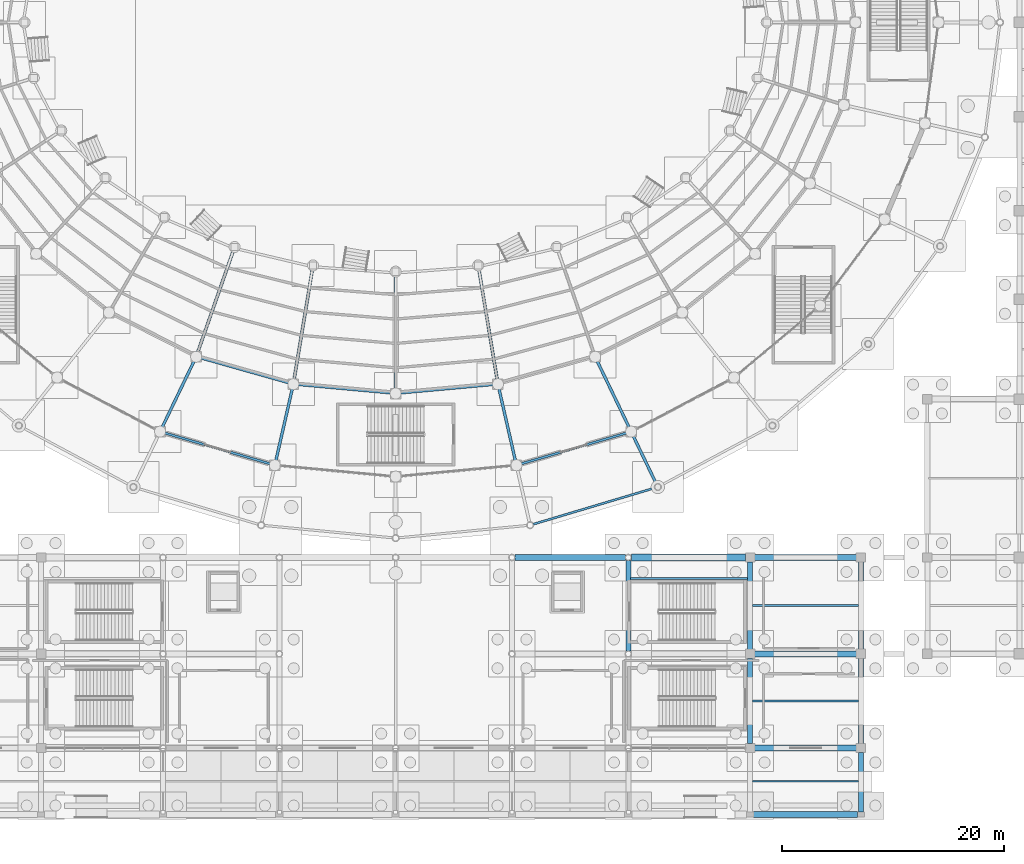
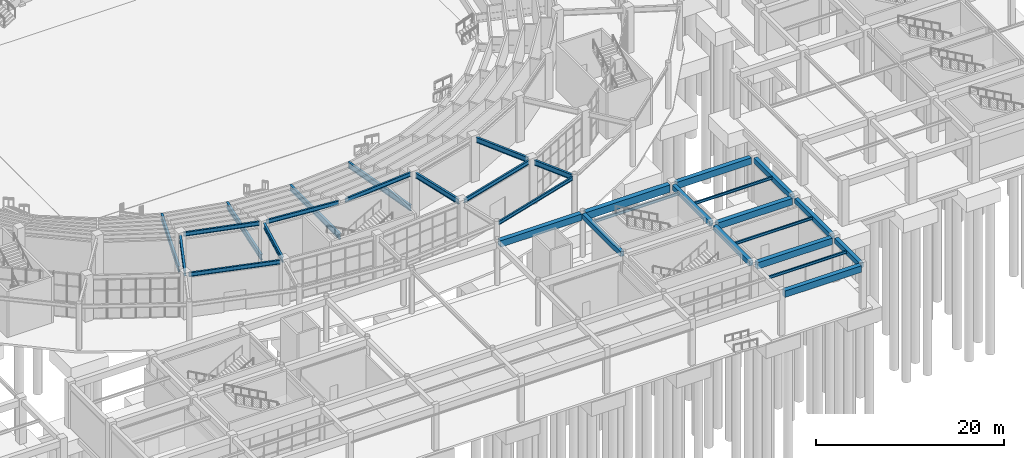
# One storey, part 34 of 121: 31 beams.
"""IFC4 building model written with IfcOpenShell, lengths in metres."""

from ifc_helpers import new_model, si_unit, direction, frame, origin, origin_2d, place, context, subcontext, project, spatial, rectangle, i_section, extrude, material, material_profile, profile_set, type_object, element, save


model = new_model("IFC4")

# Units and contexts
model_context = context("Model", 3, precision=1e-05, world=origin(), true_north=direction((0.0, 1.0)))
body_context = subcontext(model_context, "Body", "Model", "MODEL_VIEW")
ifc_project = project(units=[si_unit("LENGTHUNIT", "METRE"), si_unit("AREAUNIT", "SQUARE_METRE"), si_unit("VOLUMEUNIT", "CUBIC_METRE"), si_unit("PLANEANGLEUNIT", "RADIAN"), si_unit("MASSUNIT", "GRAM", prefix="KILO")], contexts=[model_context])

# Site, building, storey
site_placement = place(None, origin())
site = spatial("IfcSite", under=ifc_project, at=site_placement, CompositionType="ELEMENT")
building_placement = place(site_placement, origin())
building = spatial("IfcBuilding", under=site, at=building_placement, Name="Cuetzalor Civic Arena", CompositionType="ELEMENT")
storey_placement = place(building_placement, origin())
storey = spatial("IfcBuildingStorey", under=building, at=storey_placement, Name="L00", CompositionType="ELEMENT", Elevation=0.0)

# Beams
ifc_material_1 = material(Name="Concrete C40/50", Category="concrete")
ifc_material_profile_1 = material_profile(ifc_material_1, rectangle(XDim=0.550048828125, YDim=0.85009765625, at=origin_2d()), Name="RC 550x850")
ifc_profile_set_1 = profile_set([ifc_material_profile_1], Name="Concrete C40/50")
beam_type_1 = type_object("IfcBeamType", Name="ConcreteFrameBeam_550x850", PredefinedType="BEAM", material=ifc_profile_set_1)
beam_1_placement = place(storey_placement, frame((32.31494140625, -71.5, 5.27490234375), z_axis=(1.0, 0.0, 0.0), x_axis=(0.0, 1.0, 0.0)))
element("IfcBeam", 1, at=beam_1_placement, inside=storey, type_object=beam_type_1, Name="Frame Girder V3-L00-X0008", PredefinedType="BEAM", context=body_context, shape_type="SweptSolid", body=[
    extrude(rectangle(XDim=0.550048828125, YDim=0.85009765625, at=origin_2d()), origin(), (0.0, 0.0, 1.0), 9.3701171875),
])
for number, where, z_axis, x_axis, name in (
    (2, (32.4150390625, -65.5, 5.27490234375), (1.0, 0.0, 0.0), (0.0, 1.0, 0.0), "Frame Girder V3-L00-X0016"),
    (3, (32.4150390625, -57.0, 5.27490234375), (1.0, 0.0, 0.0), (0.0, 1.0, 0.0), "Frame Girder V3-L00-X0022"),
):
    element("IfcBeam", number, at=place(storey_placement, frame(where, z_axis=z_axis, x_axis=x_axis)), inside=storey, type_object=beam_type_1, Name=name, PredefinedType="BEAM", context=body_context, shape_type="SweptSolid", body=[
        extrude(rectangle(XDim=0.550048828125, YDim=0.85009765625, at=origin_2d()), origin(), (0.0, 0.0, 1.0), 9.169921875),
    ])
beam_2_placement = place(storey_placement, frame((10.76953125, -48.300048828125, 5.27490234375), z_axis=(1.0, 0.0, 0.0), x_axis=(0.0, 1.0, 0.0)))
element("IfcBeam", 4, at=beam_2_placement, inside=storey, type_object=beam_type_1, Name="Frame Girder V3-L00-X0028", PredefinedType="BEAM", context=body_context, shape_type="SweptSolid", body=[
    extrude(rectangle(XDim=0.550048828125, YDim=0.85009765625, at=origin_2d()), origin(), (0.0, 0.0, 1.0), 9.9609375),
])
beam_3_placement = place(storey_placement, frame((32.4150390625, -48.300048828125, 5.27490234375), z_axis=(1.0, 0.0, 0.0), x_axis=(0.0, 1.0, 0.0)))
element("IfcBeam", 5, at=beam_3_placement, inside=storey, type_object=beam_type_1, Name="Frame Girder V3-L00-X0030", PredefinedType="BEAM", context=body_context, shape_type="SweptSolid", body=[
    extrude(rectangle(XDim=0.550048828125, YDim=0.85009765625, at=origin_2d()), origin(), (0.0, 0.0, 1.0), 9.169921875),
])
ifc_material_2 = material(Name="Concrete C40/50", Category="concrete")
ifc_material_profile_2 = material_profile(ifc_material_2, rectangle(XDim=0.60009765625, YDim=0.949951171875, at=origin_2d()), Name="RC 600x950")
ifc_profile_set_2 = profile_set([ifc_material_profile_2], Name="Concrete C40/50")
beam_type_2 = type_object("IfcBeamType", Name="ConcreteFrameBeam_600x950", PredefinedType="BEAM", material=ifc_profile_set_2)
beam_4_placement = place(storey_placement, frame((21.26953125, -48.300048828125, 5.22509765625), z_axis=(1.0, 0.0, 0.0), x_axis=(0.0, 1.0, 0.0)))
element("IfcBeam", 6, at=beam_4_placement, inside=storey, type_object=beam_type_2, Name="Frame Girder V3-L00-X0029", PredefinedType="BEAM", context=body_context, shape_type="SweptSolid", body=[
    extrude(rectangle(XDim=0.60009765625, YDim=0.949951171875, at=origin_2d()), origin(), (0.0, 0.0, 1.0), 10.3154296875),
])
ifc_material_3 = material(Name="Concrete C40/50", Category="concrete")
ifc_material_profile_3 = material_profile(ifc_material_3, rectangle(XDim=0.449951171875, YDim=0.64990234375, at=origin_2d()), Name="RC 450x650")
ifc_profile_set_3 = profile_set([ifc_material_profile_3], Name="Concrete C40/50")
beam_type_3 = type_object("IfcBeamType", Name="ConcreteTieBeam_450x650", PredefinedType="BEAM", material=ifc_profile_set_3)
beam_5_placement = place(storey_placement, frame((21.0, -56.73046875, 5.375), z_axis=(0.0, 1.0, 0.0), x_axis=(-1.0, 0.0, 0.0)))
element("IfcBeam", 7, at=beam_5_placement, inside=storey, type_object=beam_type_3, Name="Frame Girder V3-L00-Y0050", PredefinedType="BEAM", context=body_context, shape_type="SweptSolid", body=[
    extrude(rectangle(XDim=0.449951171875, YDim=0.64990234375, at=origin_2d()), origin(), (0.0, 0.0, 1.0), 8.160888671875),
])
beam_6_placement = place(storey_placement, frame((32.0, -65.0849609375, 5.375), z_axis=(0.0, 1.0, 0.0), x_axis=(-1.0, 0.0, 0.0)))
element("IfcBeam", 8, at=beam_6_placement, inside=storey, type_object=beam_type_3, Name="Frame Girder V3-L00-Y0052", PredefinedType="BEAM", context=body_context, shape_type="SweptSolid", body=[
    extrude(rectangle(XDim=0.449951171875, YDim=0.64990234375, at=origin_2d()), origin(), (0.0, 0.0, 1.0), 7.669921875),
])
beam_7_placement = place(storey_placement, frame((32.0, -56.5849609375, 5.375), z_axis=(0.0, 1.0, 0.0), x_axis=(-1.0, 0.0, 0.0)))
element("IfcBeam", 9, at=beam_7_placement, inside=storey, type_object=beam_type_3, Name="Frame Girder V3-L00-Y0053", PredefinedType="BEAM", context=body_context, shape_type="SweptSolid", body=[
    extrude(rectangle(XDim=0.449951171875, YDim=0.64990234375, at=origin_2d()), origin(), (0.0, 0.0, 1.0), 7.869873046875),
])
beam_8_placement = place(storey_placement, frame((42.0, -71.284912109375, 5.375), z_axis=(0.0, 1.0, 0.0), x_axis=(-1.0, 0.0, 0.0)))
element("IfcBeam", 10, at=beam_8_placement, inside=storey, type_object=beam_type_3, Name="Frame Girder V3-L00-Y0054", PredefinedType="BEAM", context=body_context, shape_type="SweptSolid", body=[
    extrude(rectangle(XDim=0.449951171875, YDim=0.64990234375, at=origin_2d()), origin(), (0.0, 0.0, 1.0), 5.369873046875),
])
beam_9_placement = place(storey_placement, frame((42.0, -65.0849609375, 5.375), z_axis=(0.0, 1.0, 0.0), x_axis=(-1.0, 0.0, 0.0)))
element("IfcBeam", 11, at=beam_9_placement, inside=storey, type_object=beam_type_3, Name="Frame Girder V3-L00-Y0055", PredefinedType="BEAM", context=body_context, shape_type="SweptSolid", body=[
    extrude(rectangle(XDim=0.449951171875, YDim=0.64990234375, at=origin_2d()), origin(), (0.0, 0.0, 1.0), 7.669921875),
])
beam_10_placement = place(storey_placement, frame((42.0, -56.5849609375, 5.375), z_axis=(0.0, 1.0, 0.0), x_axis=(-1.0, 0.0, 0.0)))
element("IfcBeam", 12, at=beam_10_placement, inside=storey, type_object=beam_type_3, Name="Frame Girder V3-L00-Y0056", PredefinedType="BEAM", context=body_context, shape_type="SweptSolid", body=[
    extrude(rectangle(XDim=0.449951171875, YDim=0.64990234375, at=origin_2d()), origin(), (0.0, 0.0, 1.0), 7.869873046875),
])
ifc_material_4 = material(Name="Steel S355", Category="steel")
ifc_material_profile_4 = material_profile(ifc_material_4, i_section(OverallWidth=0.18994140625, OverallDepth=0.45703125, WebThickness=0.009033203125, FlangeThickness=0.014404296875, at=origin_2d()), Name="W460x74")
ifc_profile_set_4 = profile_set([ifc_material_profile_4], Name="Steel S355")
beam_type_4 = type_object("IfcBeamType", Name="FacadeSpandrelBeam_W460", PredefinedType="SPANDREL", material=ifc_profile_set_4)
beam_11_placement = place(storey_placement, frame((12.41650390625, -45.2998046875, 5.471435546875), z_axis=(0.958199215373, 0.28610184141, 0.0), x_axis=(-0.28610184141, 0.958199215373, 0.0)))
element("IfcBeam", 13, at=beam_11_placement, inside=storey, type_object=beam_type_4, Name="Drum Perimeter Spandrel L00-S23", PredefinedType="SPANDREL", context=body_context, shape_type="SweptSolid", body=[
    extrude(i_section(OverallWidth=0.18994140625, OverallDepth=0.45703125, WebThickness=0.009033203125, FlangeThickness=0.014404296875, at=origin_2d()), origin(), (0.0, 0.0, 1.0), 11.45263671875),
])
ifc_material_5 = material(Name="Steel S355", Category="steel")
ifc_material_profile_5 = material_profile(ifc_material_5, i_section(OverallWidth=0.264892578125, OverallDepth=0.7529296875, WebThickness=0.01318359375, FlangeThickness=0.01708984375, at=origin_2d()), Name="W760x147")
ifc_profile_set_5 = profile_set([ifc_material_profile_5], Name="Steel S355")
beam_type_5 = type_object("IfcBeamType", Name="LowerBowlRakerBeam_W760", PredefinedType="USERDEFINED", material=ifc_profile_set_5)
beam_12_placement = place(storey_placement, frame((-14.53515625, -20.271728515625, 0.6435546875), z_axis=(-0.330548514314, -0.943789001676, 0.0), x_axis=(0.943789001676, -0.330548514314, 0.0)))
element("IfcBeam", 14, at=beam_12_placement, inside=storey, type_object=beam_type_5, Name="Lower Bowl Raker Beam R20", ObjectType="RAKER", PredefinedType="USERDEFINED", context=body_context, shape_type="SweptSolid", body=[
    extrude(i_section(OverallWidth=0.264892578125, OverallDepth=0.7529296875, WebThickness=0.01318359375, FlangeThickness=0.01708984375, at=origin_2d()), origin(), (0.0, 0.0, 1.0), 10.10107421875),
])
beam_13_placement = place(storey_placement, frame((-7.45458984375, -21.935791015625, 0.6435546875), z_axis=(-0.163748622815, -0.986502097578, 0.0), x_axis=(0.986502097578, -0.163748622815, 0.0)))
element("IfcBeam", 15, at=beam_13_placement, inside=storey, type_object=beam_type_5, Name="Lower Bowl Raker Beam R21", ObjectType="RAKER", PredefinedType="USERDEFINED", context=body_context, shape_type="SweptSolid", body=[
    extrude(i_section(OverallWidth=0.264892578125, OverallDepth=0.7529296875, WebThickness=0.01318359375, FlangeThickness=0.01708984375, at=origin_2d()), origin(), (0.0, 0.0, 1.0), 10.470947265625),
])
beam_14_placement = place(storey_placement, frame((0.0, -22.5, 0.6435546875), z_axis=(0.0, -1.0, 0.0), x_axis=(1.0, 0.0, 0.0)))
element("IfcBeam", 16, at=beam_14_placement, inside=storey, type_object=beam_type_5, Name="Lower Bowl Raker Beam R22", ObjectType="RAKER", PredefinedType="USERDEFINED", context=body_context, shape_type="SweptSolid", body=[
    extrude(i_section(OverallWidth=0.264892578125, OverallDepth=0.7529296875, WebThickness=0.01318359375, FlangeThickness=0.01708984375, at=origin_2d()), origin(), (0.0, 0.0, 1.0), 10.60009765625),
])
beam_15_placement = place(storey_placement, frame((7.45458984375, -21.935791015625, 0.6435546875), z_axis=(0.163748622815, -0.986502097578, 0.0), x_axis=(0.986502097578, 0.163748622815, 0.0)))
element("IfcBeam", 17, at=beam_15_placement, inside=storey, type_object=beam_type_5, Name="Lower Bowl Raker Beam R23", ObjectType="RAKER", PredefinedType="USERDEFINED", context=body_context, shape_type="SweptSolid", body=[
    extrude(i_section(OverallWidth=0.264892578125, OverallDepth=0.7529296875, WebThickness=0.01318359375, FlangeThickness=0.01708984375, at=origin_2d()), origin(), (0.0, 0.0, 1.0), 10.470947265625),
])
ifc_material_6 = material(Name="Steel S355", Category="steel")
ifc_material_profile_6 = material_profile(ifc_material_6, i_section(OverallWidth=0.1708984375, OverallDepth=0.35498046875, WebThickness=0.007080078125, FlangeThickness=0.01171875, at=origin_2d()), Name="W360x51")
ifc_profile_set_6 = profile_set([ifc_material_profile_6], Name="Steel S355")
beam_type_6 = type_object("IfcBeamType", Name="SecondaryFloorJoist_W360", PredefinedType="JOIST", material=ifc_profile_set_6)
beam_16_placement = place(storey_placement, frame((21.217041015625, -50.214111328125, 5.5224609375), z_axis=(1.0, 0.0, 0.0), x_axis=(0.0, 1.0, 0.0)))
element("IfcBeam", 18, at=beam_16_placement, inside=storey, type_object=beam_type_6, Name="Secondary Floor Joist V3-L00-0011", PredefinedType="JOIST", context=body_context, shape_type="SweptSolid", body=[
    extrude(i_section(OverallWidth=0.1708984375, OverallDepth=0.35498046875, WebThickness=0.007080078125, FlangeThickness=0.01171875, at=origin_2d()), origin(), (0.0, 0.0, 1.0), 10.56591796875),
])
for number, where, z_axis, x_axis, name in (
    (19, (32.217041015625, -68.5, 5.5224609375), (1.0, 0.0, 0.0), (0.0, 1.0, 0.0), "Secondary Floor Joist V3-L00-0012"),
    (20, (32.217041015625, -61.25, 5.5224609375), (1.0, 0.0, 0.0), (0.0, 1.0, 0.0), "Secondary Floor Joist V3-L00-0013"),
    (21, (32.217041015625, -52.64990234375, 5.5224609375), (1.0, 0.0, 0.0), (0.0, 1.0, 0.0), "Secondary Floor Joist V3-L00-0014"),
):
    element("IfcBeam", number, at=place(storey_placement, frame(where, z_axis=z_axis, x_axis=x_axis)), inside=storey, type_object=beam_type_6, Name=name, PredefinedType="JOIST", context=body_context, shape_type="SweptSolid", body=[
        extrude(i_section(OverallWidth=0.1708984375, OverallDepth=0.35498046875, WebThickness=0.007080078125, FlangeThickness=0.01171875, at=origin_2d()), origin(), (0.0, 0.0, 1.0), 9.56591796875),
    ])
ifc_material_7 = material(Name="Steel S355", Category="steel")
ifc_material_profile_7 = material_profile(ifc_material_7, i_section(OverallWidth=0.208984375, OverallDepth=0.532958984375, WebThickness=0.01025390625, FlangeThickness=0.015625, at=origin_2d()), Name="W530x92")
ifc_profile_set_7 = profile_set([ifc_material_profile_7], Name="Steel S355")
beam_type_7 = type_object("IfcBeamType", Name="SteelCollarGirder_W530", PredefinedType="BEAM", material=ifc_profile_set_7)
beam_17_placement = place(storey_placement, frame((-20.9052734375, -37.043701171875, 5.43359375), z_axis=(0.959716323112, -0.280970779889, 0.0), x_axis=(0.280970779889, 0.959716323112, 0.0)))
element("IfcBeam", 22, at=beam_17_placement, inside=storey, type_object=beam_type_7, Name="Drum Concourse Ring Girder L00-S20", PredefinedType="BEAM", context=body_context, shape_type="SweptSolid", body=[
    extrude(i_section(OverallWidth=0.208984375, OverallDepth=0.532958984375, WebThickness=0.01025390625, FlangeThickness=0.015625, at=origin_2d()), origin(), (0.0, 0.0, 1.0), 10.0517578125),
])
beam_18_placement = place(storey_placement, frame((-17.659912109375, -30.280517578125, 5.43359375), z_axis=(0.962353567102, -0.271800684117, 0.0), x_axis=(0.271800684117, 0.962353567102, 0.0)))
element("IfcBeam", 23, at=beam_18_placement, inside=storey, type_object=beam_type_7, Name="Bowl Inner Ring Girder L00-S20", PredefinedType="BEAM", context=body_context, shape_type="SweptSolid", body=[
    extrude(i_section(OverallWidth=0.208984375, OverallDepth=0.532958984375, WebThickness=0.01025390625, FlangeThickness=0.015625, at=origin_2d()), origin(), (0.0, 0.0, 1.0), 8.394775390625),
])
for number, where, z_axis, x_axis, name in (
    (24, (-8.876220703125, -32.692626953125, 5.43359375), (0.995889930215, -0.090571777597, 0.0), (0.090571777597, 0.995889930215, 0.0), "Bowl Inner Ring Girder L00-S21"),
    (25, (0.3583984375, -33.46728515625, 5.43359375), (0.995889930215, 0.090571777597, 0.0), (-0.090571777597, 0.995889930215, 0.0), "Bowl Inner Ring Girder L00-S22"),
):
    element("IfcBeam", number, at=place(storey_placement, frame(where, z_axis=z_axis, x_axis=x_axis)), inside=storey, type_object=beam_type_7, Name=name, PredefinedType="BEAM", context=body_context, shape_type="SweptSolid", body=[
        extrude(i_section(OverallWidth=0.208984375, OverallDepth=0.532958984375, WebThickness=0.01025390625, FlangeThickness=0.015625, at=origin_2d()), origin(), (0.0, 0.0, 1.0), 8.552978515625),
    ])
beam_19_placement = place(storey_placement, frame((11.258544921875, -39.867919921875, 5.43359375), z_axis=(0.959716323112, 0.280970779889, 0.0), x_axis=(-0.280970779889, 0.959716323112, 0.0)))
element("IfcBeam", 26, at=beam_19_placement, inside=storey, type_object=beam_type_7, Name="Drum Concourse Ring Girder L00-S23", PredefinedType="BEAM", context=body_context, shape_type="SweptSolid", body=[
    extrude(i_section(OverallWidth=0.208984375, OverallDepth=0.532958984375, WebThickness=0.01025390625, FlangeThickness=0.015625, at=origin_2d()), origin(), (0.0, 0.0, 1.0), 10.0517578125),
])
ifc_material_8 = material(Name="Steel S355", Category="steel")
ifc_material_profile_8 = material_profile(ifc_material_8, i_section(OverallWidth=0.2529296875, OverallDepth=0.677978515625, WebThickness=0.01171875, FlangeThickness=0.016357421875, at=origin_2d()), Name="W690x125")
ifc_profile_set_8 = profile_set([ifc_material_profile_8], Name="Steel S355")
beam_type_8 = type_object("IfcBeamType", Name="SteelPrimaryGirder_W690", PredefinedType="BEAM", material=ifc_profile_set_8)
for number, where, z_axis, x_axis, name in (
    (27, (-18.162353515625, -30.5068359375, 5.361083984375), (-0.433869751452, -0.900975603874, 0.0), (0.900975603874, -0.433869751452, 0.0), "Drum Inner Radial Girder L00-R20"),
    (28, (-9.314697265625, -33.010986328125, 5.361083984375), (-0.222531472988, -0.974925506657, 0.0), (0.974925506657, -0.222531472988, 0.0), "Drum Inner Radial Girder L00-R21"),
    (29, (9.314697265625, -33.010986328125, 5.361083984375), (0.222531472988, -0.974925506657, 0.0), (0.974925506657, 0.222531472988, 0.0), "Drum Inner Radial Girder L00-R23"),
):
    element("IfcBeam", number, at=place(storey_placement, frame(where, z_axis=z_axis, x_axis=x_axis)), inside=storey, type_object=beam_type_8, Name=name, PredefinedType="BEAM", context=body_context, shape_type="SweptSolid", body=[
        extrude(i_section(OverallWidth=0.2529296875, OverallDepth=0.677978515625, WebThickness=0.01171875, FlangeThickness=0.016357421875, at=origin_2d()), origin(), (0.0, 0.0, 1.0), 6.780029296875),
    ])
beam_20_placement = place(storey_placement, frame((21.41650390625, -37.263916015625, 5.361083984375), z_axis=(0.433871046232, -0.900974980364, 0.0), x_axis=(0.900974980364, 0.433871046232, 0.0)))
element("IfcBeam", 30, at=beam_20_placement, inside=storey, type_object=beam_type_8, Name="Drum Radial Girder L00-R24", PredefinedType="BEAM", context=body_context, shape_type="SweptSolid", body=[
    extrude(i_section(OverallWidth=0.2529296875, OverallDepth=0.677978515625, WebThickness=0.01171875, FlangeThickness=0.016357421875, at=origin_2d()), origin(), (0.0, 0.0, 1.0), 4.89990234375),
])
beam_21_placement = place(storey_placement, frame((18.162353515625, -30.5068359375, 5.361083984375), z_axis=(0.433869751452, -0.900975603874, 0.0), x_axis=(0.900975603874, 0.433869751452, 0.0)))
element("IfcBeam", 31, at=beam_21_placement, inside=storey, type_object=beam_type_8, Name="Drum Inner Radial Girder L00-R24", PredefinedType="BEAM", context=body_context, shape_type="SweptSolid", body=[
    extrude(i_section(OverallWidth=0.2529296875, OverallDepth=0.677978515625, WebThickness=0.01171875, FlangeThickness=0.016357421875, at=origin_2d()), origin(), (0.0, 0.0, 1.0), 6.780029296875),
])

save(model, "model.ifc")
